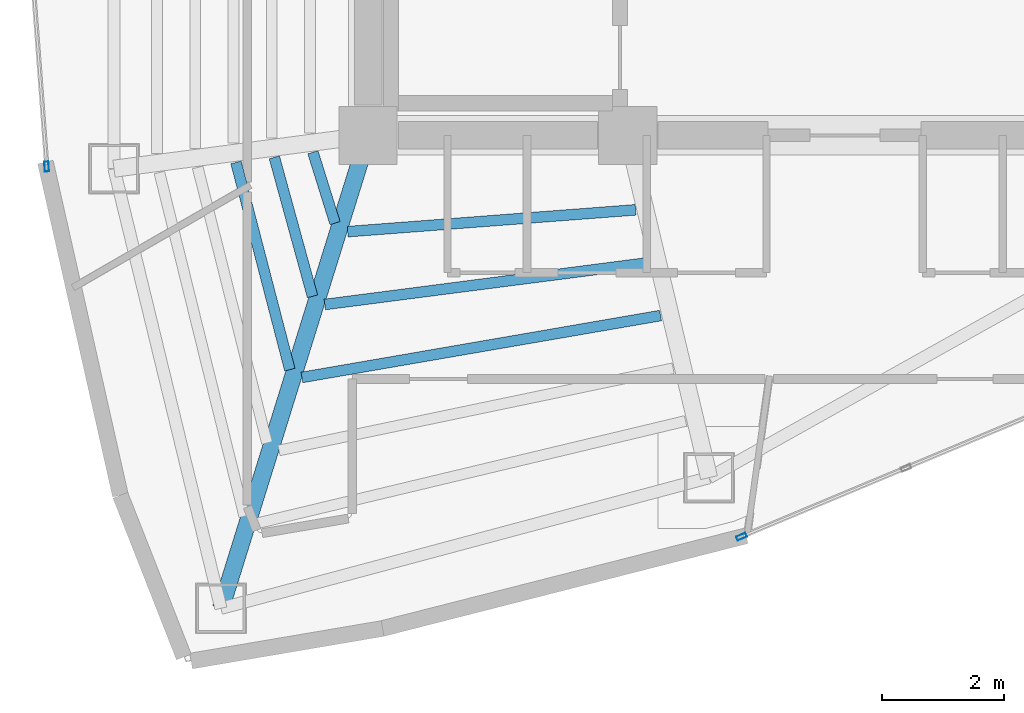
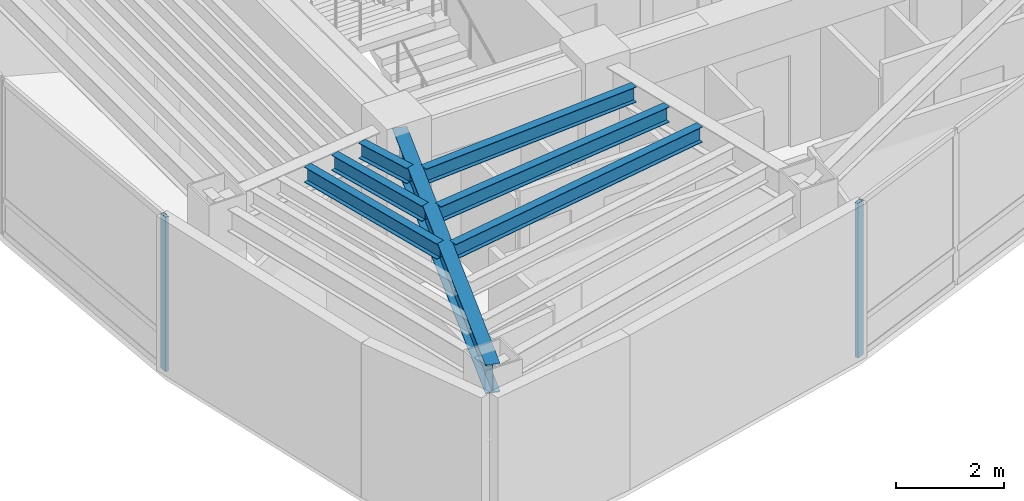
# One storey, part 2 of 15: 7 beams, 2 members, 2 elements without a shape of their own.
"""IFC4 building model written with IfcOpenShell, lengths in metres."""

from ifc_helpers import new_model, si_unit, direction, frame, origin, origin_2d, place, context, subcontext, project, spatial, hollow_rectangle, i_section, extrude, material, layer, layer_set, material_profile, profile_set, type_object, element, aggregate, save


model = new_model("IFC4")

# Units and contexts
model_context = context("Model", 3, precision=1e-05, world=origin(), true_north=direction((0.0, 1.0)))
body_context = subcontext(model_context, "Body", "Model", "MODEL_VIEW")
ifc_project = project(units=[si_unit("LENGTHUNIT", "METRE"), si_unit("AREAUNIT", "SQUARE_METRE"), si_unit("VOLUMEUNIT", "CUBIC_METRE"), si_unit("PLANEANGLEUNIT", "RADIAN"), si_unit("MASSUNIT", "GRAM", prefix="KILO")], contexts=[model_context])

# Site, building, storey
site_placement = place(None, origin())
site = spatial("IfcSite", under=ifc_project, at=site_placement, CompositionType="ELEMENT")
building_placement = place(site_placement, origin())
building = spatial("IfcBuilding", under=site, at=building_placement, Name="Menara Vayukalpa", CompositionType="ELEMENT")
storey_placement = place(building_placement, frame((0.0, 0.0, 284.340087890625)))
storey = spatial("IfcBuildingStorey", under=building, at=storey_placement, Name="L72", CompositionType="ELEMENT", Elevation=284.340087890625)

# Beams
ifc_material_1 = material(Name="Steel S355", Category="steel")
ifc_material_profile_1 = material_profile(ifc_material_1, i_section(OverallWidth=0.280029296875, OverallDepth=0.64990234375, WebThickness=0.012939453125, FlangeThickness=0.02197265625, at=origin_2d()), Name="WF 650x280x13x22")
ifc_profile_set_1 = profile_set([ifc_material_profile_1], Name="Steel S355")
beam_type_1 = type_object("IfcBeamType", Name="BM-PG6", PredefinedType="BEAM", material=ifc_profile_set_1)
beam_1_placement = place(storey_placement, frame((17.7255859375, 16.961181640625, 3.1748046875), z_axis=(-0.297213792842, -0.954810955815, 0.0), x_axis=(0.954810955815, -0.297213792842, 0.0)))
element("IfcBeam", 1, at=beam_1_placement, inside=storey, type_object=beam_type_1, Name="L72 Primary Radial Girder RG07", PredefinedType="BEAM", context=body_context, shape_type="SweptSolid", body=[
    extrude(i_section(OverallWidth=0.280029296875, OverallDepth=0.64990234375, WebThickness=0.012939453125, FlangeThickness=0.02197265625, at=origin_2d()), origin(), (0.0, 0.0, 1.0), 7.861083984375),
])
ifc_material_2 = material(Name="Steel S355", Category="steel")
ifc_material_profile_2 = material_profile(ifc_material_2, i_section(OverallWidth=0.175048828125, OverallDepth=0.35009765625, WebThickness=0.007080078125, FlangeThickness=0.010986328125, at=origin_2d()), Name="WF 350x175x7x11")
ifc_profile_set_2 = profile_set([ifc_material_profile_2], Name="Steel S355")
beam_type_2 = type_object("IfcBeamType", Name="BM-SJ3", PredefinedType="JOIST", material=ifc_profile_set_2)
beam_2_placement = place(storey_placement, frame((16.8955078125, 16.922119140625, 3.324951171875), z_axis=(0.297954442868, -0.954580090917, 0.0), x_axis=(0.954580090917, 0.297954442868, 0.0)))
element("IfcBeam", 2, at=beam_2_placement, inside=storey, type_object=beam_type_2, Name="L72 Secondary Floor Joist SJ06-1", PredefinedType="JOIST", context=body_context, shape_type="SweptSolid", body=[
    extrude(i_section(OverallWidth=0.175048828125, OverallDepth=0.35009765625, WebThickness=0.007080078125, FlangeThickness=0.010986328125, at=origin_2d()), origin(), (0.0, 0.0, 1.0), 1.21435546875),
])
beam_3_placement = place(storey_placement, frame((16.263916015625, 16.83837890625, 3.324951171875), z_axis=(0.264947201585, -0.96426292077, 0.0), x_axis=(0.96426292077, 0.264947201585, 0.0)))
element("IfcBeam", 3, at=beam_3_placement, inside=storey, type_object=beam_type_2, Name="L72 Secondary Floor Joist SJ06-2", PredefinedType="JOIST", context=body_context, shape_type="SweptSolid", body=[
    extrude(i_section(OverallWidth=0.175048828125, OverallDepth=0.35009765625, WebThickness=0.007080078125, FlangeThickness=0.010986328125, at=origin_2d()), origin(), (0.0, 0.0, 1.0), 2.35888671875),
])
beam_4_placement = place(storey_placement, frame((15.6357421875, 16.755615234375, 3.324951171875), z_axis=(0.251457685321, -0.967868292947, 0.0), x_axis=(0.967868292947, 0.251457685321, 0.0)))
element("IfcBeam", 4, at=beam_4_placement, inside=storey, type_object=beam_type_2, Name="L72 Secondary Floor Joist SJ06-3", PredefinedType="JOIST", context=body_context, shape_type="SweptSolid", body=[
    extrude(i_section(OverallWidth=0.175048828125, OverallDepth=0.35009765625, WebThickness=0.007080078125, FlangeThickness=0.010986328125, at=origin_2d()), origin(), (0.0, 0.0, 1.0), 3.5048828125),
])
beam_5_placement = place(storey_placement, frame((17.464599609375, 15.622314453125, 3.324951171875), z_axis=(0.997140447376, 0.075570683512, 0.0), x_axis=(-0.075570683512, 0.997140447376, 0.0)))
element("IfcBeam", 5, at=beam_5_placement, inside=storey, type_object=beam_type_2, Name="L72 Secondary Floor Joist SJ07-1", PredefinedType="JOIST", context=body_context, shape_type="SweptSolid", body=[
    extrude(i_section(OverallWidth=0.175048828125, OverallDepth=0.35009765625, WebThickness=0.007080078125, FlangeThickness=0.010986328125, at=origin_2d()), origin(), (0.0, 0.0, 1.0), 4.726318359375),
])
beam_6_placement = place(storey_placement, frame((17.08984375, 14.4296875, 3.324951171875), z_axis=(0.991761375414, 0.128099079766, 0.0), x_axis=(-0.128099079766, 0.991761375414, 0.0)))
element("IfcBeam", 6, at=beam_6_placement, inside=storey, type_object=beam_type_2, Name="L72 Secondary Floor Joist SJ07-2", PredefinedType="JOIST", context=body_context, shape_type="SweptSolid", body=[
    extrude(i_section(OverallWidth=0.175048828125, OverallDepth=0.35009765625, WebThickness=0.007080078125, FlangeThickness=0.010986328125, at=origin_2d()), origin(), (0.0, 0.0, 1.0), 5.33642578125),
])
beam_7_placement = place(storey_placement, frame((16.715087890625, 13.235595703125, 3.324951171875), z_axis=(0.985438818134, 0.170030396443, 0.0), x_axis=(-0.170030396443, 0.985438818134, 0.0)))
element("IfcBeam", 7, at=beam_7_placement, inside=storey, type_object=beam_type_2, Name="L72 Secondary Floor Joist SJ07-3", PredefinedType="JOIST", context=body_context, shape_type="SweptSolid", body=[
    extrude(i_section(OverallWidth=0.175048828125, OverallDepth=0.35009765625, WebThickness=0.007080078125, FlangeThickness=0.010986328125, at=origin_2d()), origin(), (0.0, 0.0, 1.0), 5.958740234375),
])

# Curtain wall, member
ifc_material_3 = material(Name="Anodised Terracotta Aluminium Alloy 6063-T6", Category="masonry")
ifc_layer = layer(ifc_material_3, 0.1650390625)
ifc_layer_set = layer_set([ifc_layer], Name="Anodised Terracotta Aluminium Alloy 6063-T6")
curtain_wall_type = type_object("IfcCurtainWallType", Name="CW-CW6", PredefinedType="USERDEFINED", material=ifc_layer_set)
curtain_wall_1_placement = place(storey_placement, origin())
curtain_wall_1 = element("IfcCurtainWall", 8, at=curtain_wall_1_placement, inside=storey, type_object=curtain_wall_type, Name="L72 Observation and Executive Curtain Wall CW6 11", ObjectType="UNITISED", PredefinedType="USERDEFINED")
ifc_material_4 = material(Name="Anodised Terracotta Aluminium Alloy 6063-T6", Category="masonry")
ifc_material_profile_3 = material_profile(ifc_material_4, hollow_rectangle(XDim=0.070068359375, YDim=0.1650390625, WallThickness=0.00390625, at=origin_2d()), Name="ALU 70x165x4")
ifc_profile_set_3 = profile_set([ifc_material_profile_3], Name="Anodised Terracotta Aluminium Alloy 6063-T6")
member_type = type_object("IfcMemberType", Name="CWM-CW6", PredefinedType="MULLION", material=ifc_profile_set_3)
member_1_placement = place(storey_placement, frame((12.536376953125, 16.688232421875, 0.0), z_axis=(0.0, 0.0, 1.0), x_axis=(0.997199344663, 0.074789484574, 0.0)))
member_1 = element("IfcMember", 9, at=member_1_placement, type_object=member_type, Name="CW6 mullion 2", PredefinedType="MULLION", context=body_context, shape_type="SweptSolid", body=[
    extrude(hollow_rectangle(XDim=0.070068359375, YDim=0.1650390625, WallThickness=0.00390625, at=origin_2d()), origin(), (0.0, 0.0, 1.0), 3.5),
])
aggregate(curtain_wall_1, [member_1])

curtain_wall_2_placement = place(storey_placement, origin())
curtain_wall_2 = element("IfcCurtainWall", 10, at=curtain_wall_2_placement, inside=storey, type_object=curtain_wall_type, Name="L72 Observation and Executive Curtain Wall CW6 16", ObjectType="UNITISED", PredefinedType="USERDEFINED")
member_2_placement = place(storey_placement, frame((23.913330078125, 10.62841796875, 0.0), z_axis=(0.0, 0.0, 1.0), x_axis=(-0.385899911703, 0.922540653927, 0.0)))
member_2 = element("IfcMember", 11, at=member_2_placement, type_object=member_type, Name="CW6 mullion 1", PredefinedType="MULLION", context=body_context, shape_type="SweptSolid", body=[
    extrude(hollow_rectangle(XDim=0.070068359375, YDim=0.1650390625, WallThickness=0.00390625, at=origin_2d()), origin(), (0.0, 0.0, 1.0), 3.5),
])
aggregate(curtain_wall_2, [member_2])

save(model, "model.ifc")
